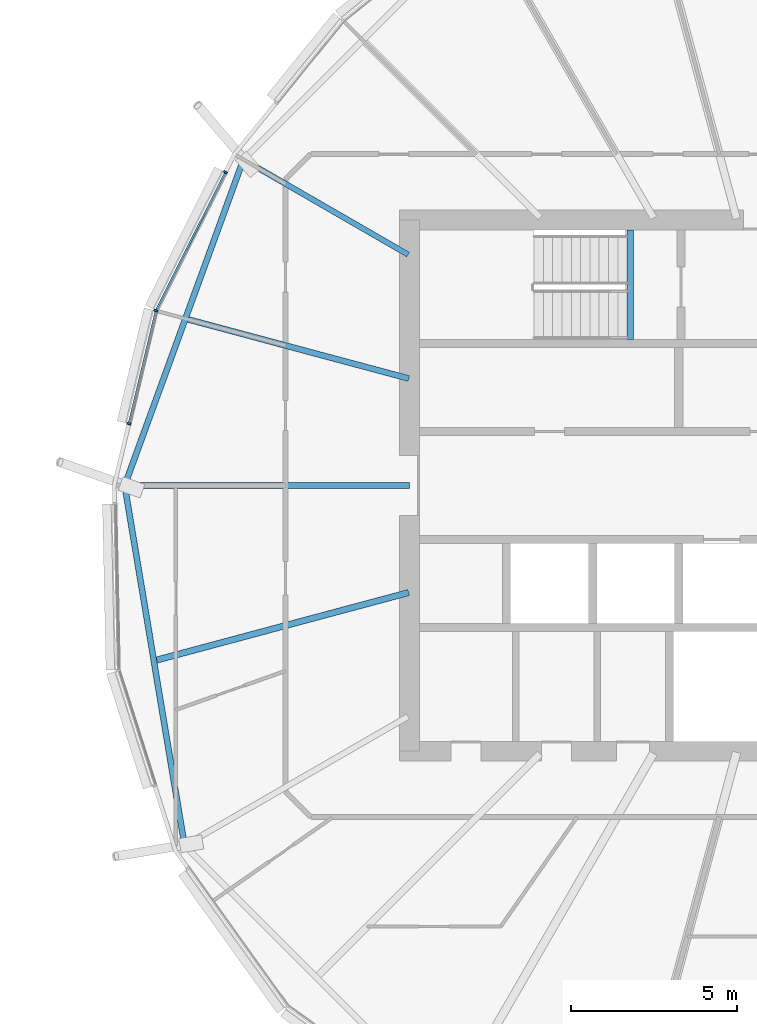
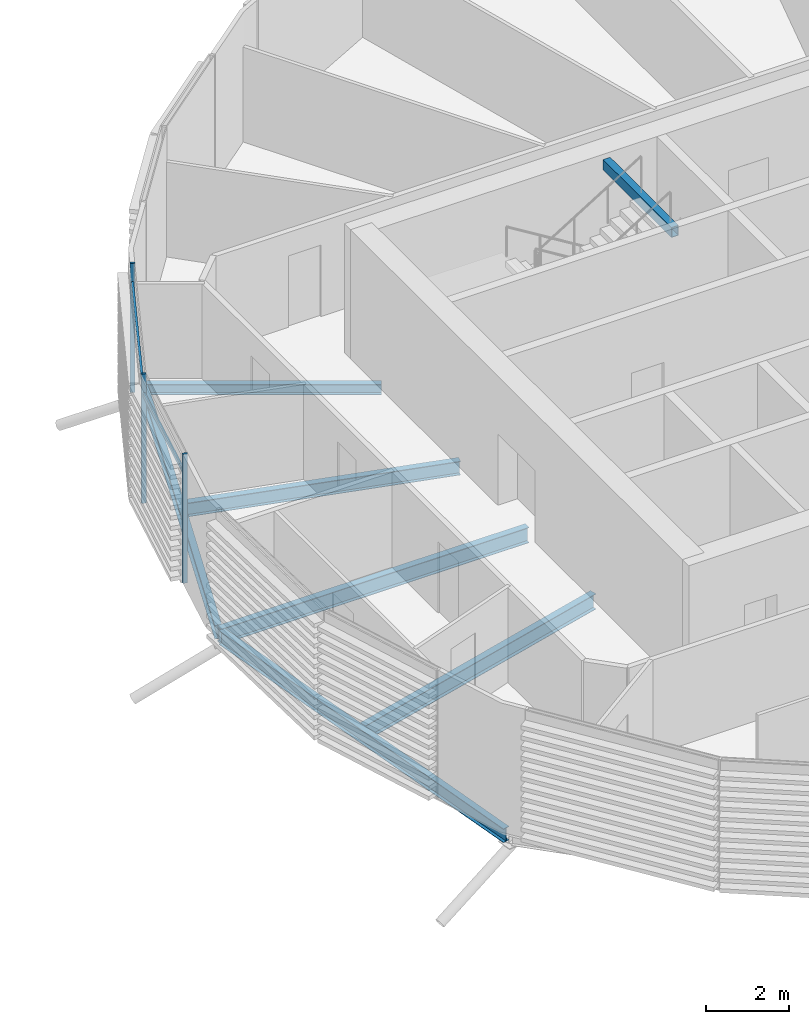
# One storey, part 13 of 36: 7 beams, 5 members, 1 element without a shape of its own.
"""IFC4 building model written with IfcOpenShell, lengths in metres."""

from ifc_helpers import new_model, si_unit, direction, frame, origin, origin_2d, place, context, subcontext, project, spatial, rectangle, hollow_rectangle, i_section, extrude, material, material_profile, profile_set, type_object, element, aggregate, save


model = new_model("IFC4")

# Units and contexts
model_context = context("Model", 3, precision=1e-05, world=origin(), true_north=direction((0.0, 1.0)))
body_context = subcontext(model_context, "Body", "Model", "MODEL_VIEW")
ifc_project = project(units=[si_unit("LENGTHUNIT", "METRE"), si_unit("AREAUNIT", "SQUARE_METRE"), si_unit("VOLUMEUNIT", "CUBIC_METRE"), si_unit("PLANEANGLEUNIT", "RADIAN"), si_unit("MASSUNIT", "GRAM", prefix="KILO")], contexts=[model_context])

# Site, building, storey
site_placement = place(None, origin())
site = spatial("IfcSite", under=ifc_project, at=site_placement, CompositionType="ELEMENT")
building_placement = place(site_placement, origin())
building = spatial("IfcBuilding", under=site, at=building_placement, Name="Rimbun Link Towers", CompositionType="ELEMENT")
storey_placement = place(building_placement, frame((0.0, 0.0, 174.10009765625)))
storey = spatial("IfcBuildingStorey", under=building, at=storey_placement, Name="L42", CompositionType="ELEMENT", Elevation=174.10009765625)

# Curtain wall, members
ifc_material_1 = material(Name="Aluminium 6063-T6 and low-iron glass", Category="aluminium")
curtain_wall_type = type_object("IfcCurtainWallType", Name="CW1-Z3 unitised vision wall (zone 3)", PredefinedType="NOTDEFINED", material=ifc_material_1)
curtain_wall_placement = place(storey_placement, origin())
curtain_wall = element("IfcCurtainWall", 1, at=curtain_wall_placement, inside=storey, type_object=curtain_wall_type, Name="CW1 L42 T2", PredefinedType="NOTDEFINED")
ifc_material_2 = material(Name="Aluminium 6063-T6", Category="aluminium")
ifc_material_profile_1 = material_profile(ifc_material_2, rectangle(XDim=0.1201171875, YDim=0.06005859375, at=origin_2d()), Name="MULLION 60X120")
ifc_profile_set_1 = profile_set([ifc_material_profile_1], Name="Aluminium 6063-T6")
member_type_1 = type_object("IfcMemberType", Name="CW1 mullion 60X120", PredefinedType="MULLION", material=ifc_profile_set_1)
member_1_placement = place(storey_placement, frame((12.115234375, 5.2666015625, 0.0), z_axis=(0.0, 0.0, 1.0), x_axis=(-0.939349260372, 0.342962048977, 0.0)))
member_1 = element("IfcMember", 2, at=member_1_placement, type_object=member_type_1, Name="CW1 mullion", PredefinedType="MULLION", context=body_context, shape_type="SweptSolid", body=[
    extrude(rectangle(XDim=0.1201171875, YDim=0.06005859375, at=origin_2d()), origin(), (0.0, 0.0, 1.0), 3.7998046875),
])
member_2_placement = place(storey_placement, frame((14.20703125, 9.432861328125, 0.0), z_axis=(0.0, 0.0, 1.0), x_axis=(-0.893645619235, 0.44877333613, 0.0)))
member_2 = element("IfcMember", 3, at=member_2_placement, type_object=member_type_1, Name="CW1 mullion", PredefinedType="MULLION", context=body_context, shape_type="SweptSolid", body=[
    extrude(rectangle(XDim=0.1201171875, YDim=0.06005859375, at=origin_2d()), origin(), (0.0, 0.0, 1.0), 3.7998046875),
])
member_3_placement = place(storey_placement, frame((11.300537109375, 1.86181640625, 0.0), z_axis=(0.0, 0.0, 1.0), x_axis=(-0.972573786264, 0.232594562001, 0.0)))
member_3 = element("IfcMember", 4, at=member_3_placement, type_object=member_type_1, Name="CW1 mullion", PredefinedType="MULLION", context=body_context, shape_type="SweptSolid", body=[
    extrude(rectangle(XDim=0.1201171875, YDim=0.06005859375, at=origin_2d()), origin(), (0.0, 0.0, 1.0), 3.7998046875),
])
ifc_material_3 = material(Name="Aluminium 6063-T6", Category="aluminium")
ifc_material_profile_2 = material_profile(ifc_material_3, rectangle(XDim=0.06005859375, YDim=0.1201171875, at=origin_2d()), Name="TRANSOM 60X120")
ifc_profile_set_2 = profile_set([ifc_material_profile_2], Name="Aluminium 6063-T6")
member_type_2 = type_object("IfcMemberType", Name="CW1 transom 60X120", PredefinedType="USERDEFINED", material=ifc_profile_set_2)
member_4_placement = place(storey_placement, frame((12.133056640625, 5.298828125, 3.199951171875), z_axis=(0.448806848346, 0.893628789195, 0.0), x_axis=(-0.893628789195, 0.448806848346, 0.0)))
member_4 = element("IfcMember", 5, at=member_4_placement, type_object=member_type_2, Name="CW1 transom", ObjectType="TRANSOM", PredefinedType="USERDEFINED", context=body_context, shape_type="SweptSolid", body=[
    extrude(rectangle(XDim=0.06005859375, YDim=0.1201171875, at=origin_2d()), origin(), (0.0, 0.0, 1.0), 4.594970703125),
])
member_5_placement = place(storey_placement, frame((11.309326171875, 1.890625, 3.199951171875), z_axis=(0.23263607993, 0.972563856163, 0.0), x_axis=(-0.972563856163, 0.23263607993, 0.0)))
member_5 = element("IfcMember", 6, at=member_5_placement, type_object=member_type_2, Name="CW1 transom", ObjectType="TRANSOM", PredefinedType="USERDEFINED", context=body_context, shape_type="SweptSolid", body=[
    extrude(rectangle(XDim=0.06005859375, YDim=0.1201171875, at=origin_2d()), origin(), (0.0, 0.0, 1.0), 3.433837890625),
])
aggregate(curtain_wall, [member_1, member_2, member_3, member_4, member_5])

# Beams
ifc_material_4 = material(Name="Steel S355J2", Category="steel")
ifc_material_profile_3 = material_profile(ifc_material_4, hollow_rectangle(XDim=0.199951171875, YDim=0.300048828125, WallThickness=0.011962890625, at=origin_2d()), Name="BOX 300x200x12")
ifc_profile_set_3 = profile_set([ifc_material_profile_3], Name="Steel S355J2")
beam_type_1 = type_object("IfcBeamType", Name="Stair trimmer beam BOX 300x200x12", PredefinedType="BEAM", material=ifc_profile_set_3)
beam_1_placement = place(storey_placement, frame((26.39990234375, 7.699951171875, 3.5), z_axis=(0.0, -1.0, 0.0), x_axis=(1.0, 0.0, 0.0)))
element("IfcBeam", 7, at=beam_1_placement, inside=storey, type_object=beam_type_1, Name="L42 ST3 stair beam 1", PredefinedType="BEAM", context=body_context, shape_type="SweptSolid", body=[
    extrude(hollow_rectangle(XDim=0.199951171875, YDim=0.300048828125, WallThickness=0.011962890625, at=origin_2d()), origin(), (0.0, 0.0, 1.0), 3.300048828125),
])
ifc_material_5 = material(Name="Steel S355J2", Category="steel")
ifc_material_profile_4 = material_profile(ifc_material_5, i_section(OverallWidth=0.1650390625, OverallDepth=0.303466796875, WebThickness=0.006103515625, FlangeThickness=0.01025390625, at=origin_2d()), Name="UB 305x165x40")
ifc_profile_set_4 = profile_set([ifc_material_profile_4], Name="Steel S355J2")
beam_type_2 = type_object("IfcBeamType", Name="UB 305x165x40", PredefinedType="BEAM", material=ifc_profile_set_4)
beam_2_placement = place(storey_placement, frame((19.7080078125, 6.952392578125, -0.3017578125), z_axis=(-0.866027963864, 0.499995565786, 0.0), x_axis=(-0.499995565786, -0.866027963864, 0.0)))
element("IfcBeam", 8, at=beam_2_placement, inside=storey, type_object=beam_type_2, Name="Radial beam T2 L42 07", PredefinedType="BEAM", context=body_context, shape_type="SweptSolid", body=[
    extrude(i_section(OverallWidth=0.1650390625, OverallDepth=0.303466796875, WebThickness=0.006103515625, FlangeThickness=0.01025390625, at=origin_2d()), origin(), (0.0, 0.0, 1.0), 5.72607421875),
])
ifc_material_6 = material(Name="Steel S355J2", Category="steel")
ifc_material_profile_5 = material_profile(ifc_material_6, i_section(OverallWidth=0.177978515625, OverallDepth=0.406494140625, WebThickness=0.0078125, FlangeThickness=0.0126953125, at=origin_2d()), Name="UB 406x178x60")
ifc_profile_set_5 = profile_set([ifc_material_profile_5], Name="Steel S355J2")
beam_type_3 = type_object("IfcBeamType", Name="UB 406x178x60", PredefinedType="BEAM", material=ifc_profile_set_5)
beam_3_placement = place(storey_placement, frame((19.72607421875, 3.2216796875, -0.353271484375), z_axis=(-0.965919812148, 0.258841489141, 0.0), x_axis=(-0.258841489141, -0.965919812148, 0.0)))
element("IfcBeam", 9, at=beam_3_placement, inside=storey, type_object=beam_type_3, Name="Radial beam T2 L42 08", PredefinedType="BEAM", context=body_context, shape_type="SweptSolid", body=[
    extrude(i_section(OverallWidth=0.177978515625, OverallDepth=0.406494140625, WebThickness=0.0078125, FlangeThickness=0.0126953125, at=origin_2d()), origin(), (0.0, 0.0, 1.0), 6.869384765625),
])
beam_4_placement = place(storey_placement, frame((14.719970703125, 9.73583984375, -0.353271484375), z_axis=(-0.342222603427, -0.939618906634, 0.0), x_axis=(0.939618906634, -0.342222603427, 0.0)))
element("IfcBeam", 10, at=beam_4_placement, inside=storey, type_object=beam_type_3, Name="Edge beam T2 L42 07-09", PredefinedType="BEAM", context=body_context, shape_type="SweptSolid", body=[
    extrude(i_section(OverallWidth=0.177978515625, OverallDepth=0.406494140625, WebThickness=0.0078125, FlangeThickness=0.0126953125, at=origin_2d()), origin(), (0.0, 0.0, 1.0), 10.25927734375),
])
beam_5_placement = place(storey_placement, frame((11.18994140625, -0.095947265625, -0.353271484375), z_axis=(0.164164240489, -0.986433019594, 0.0), x_axis=(0.986433019594, 0.164164240489, 0.0)))
element("IfcBeam", 11, at=beam_5_placement, inside=storey, type_object=beam_type_3, Name="Edge beam T2 L42 09-11", PredefinedType="BEAM", context=body_context, shape_type="SweptSolid", body=[
    extrude(i_section(OverallWidth=0.177978515625, OverallDepth=0.406494140625, WebThickness=0.0078125, FlangeThickness=0.0126953125, at=origin_2d()), origin(), (0.0, 0.0, 1.0), 10.7939453125),
])
ifc_material_7 = material(Name="Steel S355J2", Category="steel")
ifc_material_profile_6 = material_profile(ifc_material_7, i_section(OverallWidth=0.18994140625, OverallDepth=0.453369140625, WebThickness=0.008544921875, FlangeThickness=0.0126953125, at=origin_2d()), Name="UB 457x191x67")
ifc_profile_set_6 = profile_set([ifc_material_profile_6], Name="Steel S355J2")
beam_type_4 = type_object("IfcBeamType", Name="UB 457x191x67", PredefinedType="BEAM", material=ifc_profile_set_6)
beam_6_placement = place(storey_placement, frame((19.7490234375, 0.0, -0.376708984375), z_axis=(-1.0, 0.0, 0.0), x_axis=(0.0, -1.0, 0.0)))
element("IfcBeam", 12, at=beam_6_placement, inside=storey, type_object=beam_type_4, Name="Radial beam T2 L42 09", PredefinedType="BEAM", context=body_context, shape_type="SweptSolid", body=[
    extrude(i_section(OverallWidth=0.18994140625, OverallDepth=0.453369140625, WebThickness=0.008544921875, FlangeThickness=0.0126953125, at=origin_2d()), origin(), (0.0, 0.0, 1.0), 8.5751953125),
])
beam_7_placement = place(storey_placement, frame((19.724609375, -3.22216796875, -0.376708984375), z_axis=(-0.96592307091, -0.258829328097, 0.0), x_axis=(0.258829328097, -0.96592307091, 0.0)))
element("IfcBeam", 13, at=beam_7_placement, inside=storey, type_object=beam_type_4, Name="Radial beam T2 L42 10", PredefinedType="BEAM", context=body_context, shape_type="SweptSolid", body=[
    extrude(i_section(OverallWidth=0.18994140625, OverallDepth=0.453369140625, WebThickness=0.008544921875, FlangeThickness=0.0126953125, at=origin_2d()), origin(), (0.0, 0.0, 1.0), 7.8525390625),
])

save(model, "model.ifc")
